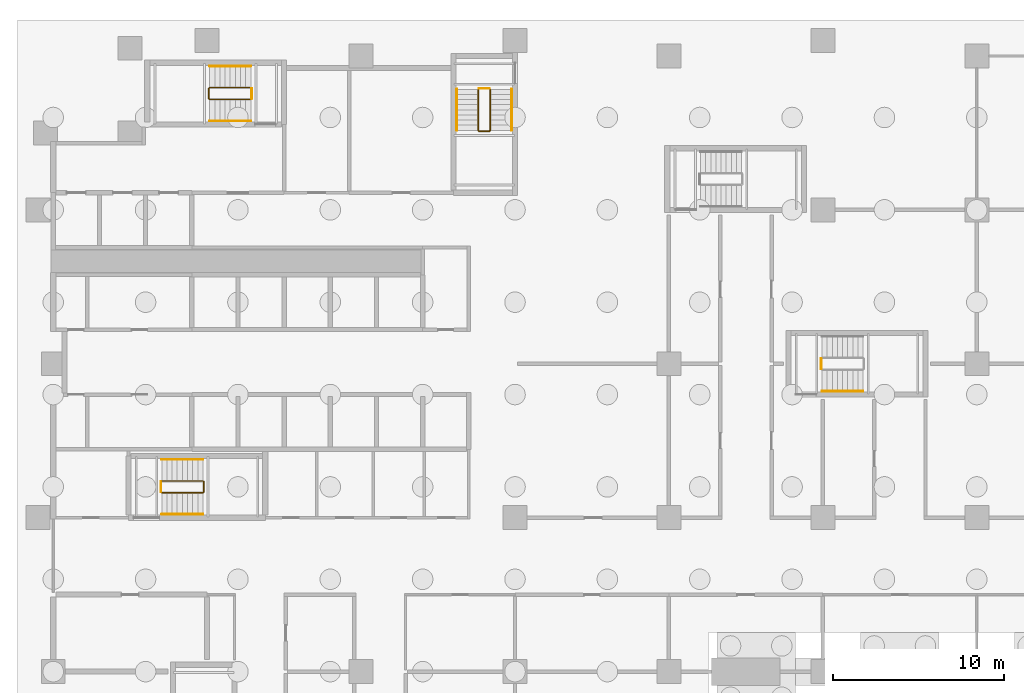
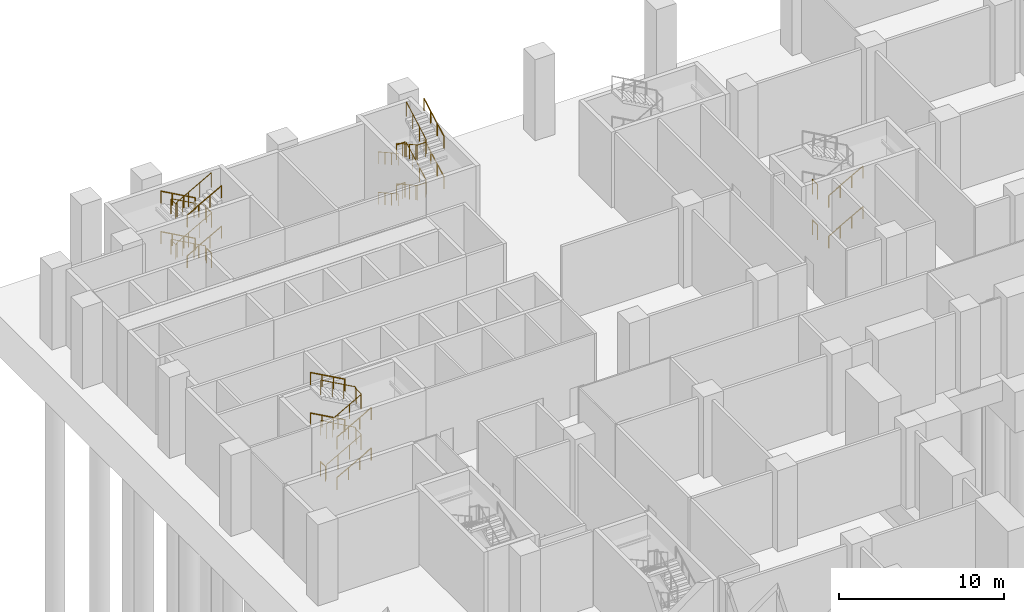
# One storey, part 11 of 12: 27 railings.
"""IFC4 building model written with IfcOpenShell, lengths in metres."""

import ifcopenshell
import ifcopenshell.guid

model = None  # the IFC model being written
_history = None  # IfcOwnerHistory: only IFC2X3 demands one
_inside = {}  # id of a spatial element -> (the spatial element, [elements in it])
_under = {}  # id of a project, library or spatial element -> (it, [spatial elements below it])
_declared = {}  # id of a project -> (the project, [libraries it declares])
_typed = {}  # id of a type object -> (the type object, [elements of that type])
_made_of = {}  # id of a material, layer set ... -> (it, [elements and type objects made of it])


def new_model(schema):
    """Start an empty IFC model of exactly this schema.

    Asked for "IFC4X3", IfcOpenShell would pick the latest addendum, in which some entities
    have other attributes; the version numbers below select the first issue.
    IFC2X3 requires an IfcOwnerHistory on every rooted entity: one is made here for all.
    """
    global model, _history
    if schema == "IFC4X3":
        model = ifcopenshell.file(schema_version=(4, 3, 0, 0))
    else:
        model = ifcopenshell.file(schema=schema)
    _inside.clear()
    _under.clear()
    _declared.clear()
    _typed.clear()
    _made_of.clear()
    _history = None
    if model.schema == "IFC2X3":
        org = make("IfcOrganization", Name="unknown")
        user = make(
            "IfcPersonAndOrganization",
            ThePerson=make("IfcPerson", FamilyName="unknown"),
            TheOrganization=org,
        )
        app = make(
            "IfcApplication",
            ApplicationDeveloper=org,
            Version="unknown",
            ApplicationFullName="unknown",
            ApplicationIdentifier="unknown",
        )
        _history = make(
            "IfcOwnerHistory",
            OwningUser=user,
            OwningApplication=app,
            ChangeAction="ADDED",
            CreationDate=0,
        )
    return model


def make(cls, **values):
    """One entity of the class cls with the attributes given. An attribute that is None is left unset."""
    return model.create_entity(
        cls, **{name: value for name, value in values.items() if value is not None}
    )


def rooted(cls, **values):
    """An entity with a GlobalId (a new one), such as an element, a storey or a relation."""
    return make(cls, GlobalId=ifcopenshell.guid.new(), OwnerHistory=_history, **values)


def si_unit(unit_type, name, prefix=None):
    """IfcSIUnit, for example si_unit("LENGTHUNIT", "METRE", prefix="MILLI")."""
    return make("IfcSIUnit", UnitType=unit_type, Prefix=prefix, Name=name)


def assignment(units):
    """IfcUnitAssignment: the units of a project."""
    return None if units is None else make("IfcUnitAssignment", Units=units)


def point(xyz):
    """IfcCartesianPoint."""
    return None if xyz is None else make("IfcCartesianPoint", Coordinates=xyz)


def direction(xyz):
    """IfcDirection."""
    return None if xyz is None else make("IfcDirection", DirectionRatios=xyz)


def frame(location, z_axis=None, x_axis=None):
    """IfcAxis2Placement3D, a coordinate frame: its origin and axes. An axis left out is left unset."""
    return make(
        "IfcAxis2Placement3D",
        Location=point(location),
        Axis=direction(z_axis),
        RefDirection=direction(x_axis),
    )


def frame_2d(location, x_axis=None):
    """IfcAxis2Placement2D, a coordinate frame in the plane: its origin and x axis."""
    return make(
        "IfcAxis2Placement2D", Location=point(location), RefDirection=direction(x_axis)
    )


def origin():
    """The frame at (0, 0, 0) with its axes left unset."""
    return frame((0.0, 0.0, 0.0))


def origin_2d():
    """The frame at (0, 0) in the plane with its x axis left unset."""
    return frame_2d((0.0, 0.0))


def place(relative_to, where):
    """IfcLocalPlacement: puts the frame where relative to a parent placement (None: the world)."""
    return make(
        "IfcLocalPlacement", PlacementRelTo=relative_to, RelativePlacement=where
    )


def context(
    kind, dimensions, precision=None, world=None, true_north=None, identifier=None
):
    """IfcGeometricRepresentationContext, for example the 3D "Model" context."""
    return make(
        "IfcGeometricRepresentationContext",
        ContextIdentifier=identifier,
        ContextType=kind,
        CoordinateSpaceDimension=dimensions,
        Precision=precision,
        WorldCoordinateSystem=world,
        TrueNorth=true_north,
    )


def subcontext(parent, identifier, kind, view, scale=None):
    """IfcGeometricRepresentationSubContext, for example "Body" below "Model"."""
    return make(
        "IfcGeometricRepresentationSubContext",
        ContextIdentifier=identifier,
        ContextType=kind,
        ParentContext=parent,
        TargetScale=scale,
        TargetView=view,
    )


def project(units=None, contexts=None):
    """IfcProject with its units and contexts."""
    return rooted(
        "IfcProject",
        Name="project",
        RepresentationContexts=contexts,
        UnitsInContext=assignment(units),
    )


def spatial(cls, under=None, at=None, **own):
    """A site, building, storey or space (cls), placed at a placement, below another one or the project."""
    s = rooted(cls, ObjectPlacement=at, **own)
    if under is not None:
        _under.setdefault(under.id(), (under, []))[1].append(s)
    return s


def profile(cls, at=None, kind="AREA", **sizes):
    """A parametric profile (cls). Its sizes go by their IFC names, for example OverallWidth=200.0."""
    return make(cls, ProfileType=kind, Position=at, **sizes)


def circle(**sizes):
    """IfcCircleProfileDef."""
    return profile("IfcCircleProfileDef", **sizes)


def extrude(swept, where, along, depth):
    """IfcExtrudedAreaSolid: the profile swept, set in the frame where, extruded along a direction by depth."""
    return make(
        "IfcExtrudedAreaSolid",
        SweptArea=swept,
        Position=where,
        ExtrudedDirection=direction(along),
        Depth=depth,
    )


def shape(context_of_items, identifier, shape_type, items):
    """IfcShapeRepresentation: the items that make up one representation, for example the "Body"."""
    return make(
        "IfcShapeRepresentation",
        ContextOfItems=context_of_items,
        RepresentationIdentifier=identifier,
        RepresentationType=shape_type,
        Items=items,
    )


def material(Name=None, Category=None):
    """IfcMaterial."""
    return make("IfcMaterial", Name=Name, Category=Category)


def made_of(thing, what):
    """Note that an element or type object is made of a material, layer set ...; save() writes the relation."""
    if what is not None:
        _made_of.setdefault(what.id(), (what, []))[1].append(thing)
    return thing


def type_object(cls, material=None, **own):
    """A type object (cls), such as IfcWallType, which elements share."""
    return made_of(rooted(cls, **own), material)


def element(
    cls,
    number,
    at=None,
    inside=None,
    cuts=None,
    type_object=None,
    material=None,
    context=None,
    identifier="Body",
    shape_type=None,
    held_by="IfcProductDefinitionShape",
    body=None,
    shapes=None,
    **own,
):
    """One element of the class cls, such as IfcWall. Its Tag is "e" and its number.

    at: its placement. inside: the storey or other place that contains it. cuts: it is an
    opening in that element (IfcRelVoidsElement). A single representation is given by context,
    identifier, shape_type and body (its items); several are given by shapes. held_by: the class
    of the entity that holds the representations. save() writes the other relations.
    """
    e = rooted(cls, Tag="e%d" % number, ObjectPlacement=at, **own)
    if body is not None:
        shapes = [shape(context, identifier, shape_type, body)]
    if shapes is not None:
        e.Representation = make(held_by, Representations=shapes)
    if inside is not None:
        _inside.setdefault(inside.id(), (inside, []))[1].append(e)
    if cuts is not None:
        rooted(
            "IfcRelVoidsElement", RelatingBuildingElement=cuts, RelatedOpeningElement=e
        )
    if type_object is not None:
        _typed.setdefault(type_object.id(), (type_object, []))[1].append(e)
    return made_of(e, material)


def aggregate(whole, parts):
    """IfcRelAggregates: a whole, such as a stair, and the parts it consists of."""
    return rooted("IfcRelAggregates", RelatingObject=whole, RelatedObjects=parts)


def save(model, path):
    """Write the relations noted so far, then the file.

    IfcRelAggregates (storeys below a building ...), IfcRelContainedInSpatialStructure (elements
    in a storey), IfcRelDefinesByType, IfcRelAssociatesMaterial and IfcRelDeclares: one each for
    every whole, place, type object, material and project.
    """
    for whole, parts in _under.values():
        aggregate(whole, parts)
    for where, things in _inside.values():
        rooted(
            "IfcRelContainedInSpatialStructure",
            RelatedElements=things,
            RelatingStructure=where,
        )
    for kind, things in _typed.values():
        rooted("IfcRelDefinesByType", RelatedObjects=things, RelatingType=kind)
    for what, things in _made_of.values():
        rooted("IfcRelAssociatesMaterial", RelatedObjects=things, RelatingMaterial=what)
    for by, libraries in _declared.values():
        rooted("IfcRelDeclares", RelatingContext=by, RelatedDefinitions=libraries)
    model.write(path)


model = new_model("IFC4")

# Units and contexts
model_context = context("Model", 3, precision=1e-05, world=origin(), true_north=direction((0.0, 1.0)))
body_context = subcontext(model_context, "Body", "Model", "MODEL_VIEW")
ifc_project = project(units=[si_unit("LENGTHUNIT", "METRE"), si_unit("AREAUNIT", "SQUARE_METRE"), si_unit("VOLUMEUNIT", "CUBIC_METRE"), si_unit("PLANEANGLEUNIT", "RADIAN"), si_unit("MASSUNIT", "GRAM", prefix="KILO")], contexts=[model_context])

# Site, building, storey
site_placement = place(None, origin())
site = spatial("IfcSite", under=ifc_project, at=site_placement, CompositionType="ELEMENT")
building_placement = place(site_placement, origin())
building = spatial("IfcBuilding", under=site, at=building_placement, Name="Brondeck Convention Tower", CompositionType="ELEMENT")
storey_placement = place(building_placement, frame((0.0, 0.0, -6.0)))
storey = spatial("IfcBuildingStorey", under=building, at=storey_placement, Name="B1", CompositionType="ELEMENT", Elevation=-6.0)

# Railings
ifc_material = material(Name="Steel S355", Category="steel")
railing_type_1 = type_object("IfcRailingType", Name="Stair guard 1100", PredefinedType="GUARDRAIL", material=ifc_material)
railing_1_placement = place(storey_placement, frame((6.35009765625, 37.449951171875, 0.166748046875)))
element("IfcRailing", 1, at=railing_1_placement, inside=storey, type_object=railing_type_1, Name="B1 ST-1 stair guard 1", PredefinedType="GUARDRAIL", context=body_context, shape_type="SweptSolid", body=[
    extrude(circle(Radius=0.02392578125, at=origin_2d()), frame((0.0, 0.0, 1.076171875), z_axis=(0.874161470802, 0.0, 0.485635380677), x_axis=(0.0, 1.0, 0.0)), (0.0, 0.0, 1.0), 2.745361328125),
    extrude(circle(Radius=0.02392578125, at=origin_2d()), frame((2.39990234375, 0.0, 2.4091796875), z_axis=(0.707106781187, 0.707106781187, 0.0), x_axis=(-0.707106781187, 0.707106781187, 0.0)), (0.0, 0.0, 1.0), 0.07080078125),
    extrude(circle(Radius=0.02392578125, at=origin_2d()), frame((2.449951171875, 0.050048828125, 2.4091796875), z_axis=(0.0, 1.0, 0.0), x_axis=(-1.0, 0.0, 0.0)), (0.0, 0.0, 1.0), 0.60009765625),
    extrude(circle(Radius=0.02392578125, at=origin_2d()), frame((2.449951171875, 0.650146484375, 2.4091796875), z_axis=(-0.276389281352, 0.275041040955, 0.920848191041), x_axis=(-0.705375805398, -0.708833529934, 0.0)), (0.0, 0.0, 1.0), 0.18115234375),
    extrude(circle(Radius=0.02392578125, at=origin_2d()), frame((2.39990234375, 0.699951171875, 2.576171875), z_axis=(-0.874161470802, 0.0, 0.485635380677), x_axis=(0.0, -1.0, 0.0)), (0.0, 0.0, 1.0), 2.745361328125),
    extrude(circle(Radius=0.02099609375, at=origin_2d()), origin(), (0.0, 0.0, 1.0), 1.052001953125),
    extrude(circle(Radius=0.02099609375, at=origin_2d()), frame((0.800048828125, 0.0, 0.4443359375)), (0.0, 0.0, 1.0), 1.052001953125),
    extrude(circle(Radius=0.02099609375, at=origin_2d()), frame((1.599853515625, 0.0, 0.888916015625)), (0.0, 0.0, 1.0), 1.052001953125),
    extrude(circle(Radius=0.02099609375, at=origin_2d()), frame((2.39990234375, 0.0, 1.333251953125)), (0.0, 0.0, 1.0), 1.052001953125),
    extrude(circle(Radius=0.02099609375, at=origin_2d()), frame((2.449951171875, 0.050048828125, 1.333251953125)), (0.0, 0.0, 1.0), 1.052001953125),
    extrude(circle(Radius=0.02099609375, at=origin_2d()), frame((2.449951171875, 0.650146484375, 1.333251953125)), (0.0, 0.0, 1.0), 1.052001953125),
    extrude(circle(Radius=0.02099609375, at=origin_2d()), frame((2.39990234375, 0.699951171875, 1.5)), (0.0, 0.0, 1.0), 1.052001953125),
    extrude(circle(Radius=0.02099609375, at=origin_2d()), frame((1.599853515625, 0.699951171875, 1.9443359375)), (0.0, 0.0, 1.0), 1.052001953125),
    extrude(circle(Radius=0.02099609375, at=origin_2d()), frame((0.800048828125, 0.699951171875, 2.388916015625)), (0.0, 0.0, 1.0), 1.052001953125),
    extrude(circle(Radius=0.02099609375, at=origin_2d()), frame((0.0, 0.699951171875, 2.833251953125)), (0.0, 0.0, 1.0), 1.052001953125),
])
railing_2_placement = place(storey_placement, frame((6.35009765625, 37.449951171875, 3.166748046875)))
element("IfcRailing", 2, at=railing_2_placement, inside=storey, type_object=railing_type_1, Name="B1 ST-1 stair guard 3", PredefinedType="GUARDRAIL", context=body_context, shape_type="SweptSolid", body=[
    extrude(circle(Radius=0.02392578125, at=origin_2d()), frame((0.0, 0.0, 1.076171875), z_axis=(0.874161470802, 0.0, 0.485635380677), x_axis=(0.0, 1.0, 0.0)), (0.0, 0.0, 1.0), 2.745361328125),
    extrude(circle(Radius=0.02392578125, at=origin_2d()), frame((2.39990234375, 0.0, 2.4091796875), z_axis=(0.707106781187, 0.707106781187, 0.0), x_axis=(-0.707106781187, 0.707106781187, 0.0)), (0.0, 0.0, 1.0), 0.07080078125),
    extrude(circle(Radius=0.02392578125, at=origin_2d()), frame((2.449951171875, 0.050048828125, 2.4091796875), z_axis=(0.0, 1.0, 0.0), x_axis=(-1.0, 0.0, 0.0)), (0.0, 0.0, 1.0), 0.60009765625),
    extrude(circle(Radius=0.02392578125, at=origin_2d()), frame((2.449951171875, 0.650146484375, 2.4091796875), z_axis=(-0.276389281352, 0.275041040955, 0.920848191041), x_axis=(-0.705375805398, -0.708833529934, 0.0)), (0.0, 0.0, 1.0), 0.18115234375),
    extrude(circle(Radius=0.02392578125, at=origin_2d()), frame((2.39990234375, 0.699951171875, 2.576171875), z_axis=(-0.874161470802, 0.0, 0.485635380677), x_axis=(0.0, -1.0, 0.0)), (0.0, 0.0, 1.0), 2.745361328125),
    extrude(circle(Radius=0.02099609375, at=origin_2d()), origin(), (0.0, 0.0, 1.0), 1.052001953125),
    extrude(circle(Radius=0.02099609375, at=origin_2d()), frame((0.800048828125, 0.0, 0.4443359375)), (0.0, 0.0, 1.0), 1.052001953125),
    extrude(circle(Radius=0.02099609375, at=origin_2d()), frame((1.599853515625, 0.0, 0.888916015625)), (0.0, 0.0, 1.0), 1.052001953125),
    extrude(circle(Radius=0.02099609375, at=origin_2d()), frame((2.39990234375, 0.0, 1.333251953125)), (0.0, 0.0, 1.0), 1.052001953125),
    extrude(circle(Radius=0.02099609375, at=origin_2d()), frame((2.449951171875, 0.050048828125, 1.333251953125)), (0.0, 0.0, 1.0), 1.052001953125),
    extrude(circle(Radius=0.02099609375, at=origin_2d()), frame((2.449951171875, 0.650146484375, 1.333251953125)), (0.0, 0.0, 1.0), 1.052001953125),
    extrude(circle(Radius=0.02099609375, at=origin_2d()), frame((2.39990234375, 0.699951171875, 1.5)), (0.0, 0.0, 1.0), 1.052001953125),
    extrude(circle(Radius=0.02099609375, at=origin_2d()), frame((1.599853515625, 0.699951171875, 1.9443359375)), (0.0, 0.0, 1.0), 1.052001953125),
    extrude(circle(Radius=0.02099609375, at=origin_2d()), frame((0.800048828125, 0.699951171875, 2.388916015625)), (0.0, 0.0, 1.0), 1.052001953125),
    extrude(circle(Radius=0.02099609375, at=origin_2d()), frame((0.0, 0.699951171875, 2.833251953125)), (0.0, 0.0, 1.0), 1.052001953125),
])
railing_3_placement = place(storey_placement, frame((6.300048828125, 37.5, 0.0)))
element("IfcRailing", 3, at=railing_3_placement, inside=storey, type_object=railing_type_1, Name="B1 ST-1 stair guard 4", PredefinedType="GUARDRAIL", context=body_context, shape_type="SweptSolid", body=[
    extrude(circle(Radius=0.02392578125, at=origin_2d()), frame((0.0, 0.0, 1.076171875), z_axis=(0.0, 1.0, 0.0), x_axis=(-1.0, 0.0, 0.0)), (0.0, 0.0, 1.0), 0.60009765625),
    extrude(circle(Radius=0.02099609375, at=origin_2d()), origin(), (0.0, 0.0, 1.0), 1.052001953125),
    extrude(circle(Radius=0.02099609375, at=origin_2d()), frame((0.0, 0.60009765625, 0.0)), (0.0, 0.0, 1.0), 1.052001953125),
])
railing_4_placement = place(storey_placement, frame((24.85009765625, 61.050048828125, 0.166748046875)))
element("IfcRailing", 4, at=railing_4_placement, inside=storey, type_object=railing_type_1, Name="B1 ST-2 stair guard 1", PredefinedType="GUARDRAIL", context=body_context, shape_type="SweptSolid", body=[
    extrude(circle(Radius=0.02392578125, at=origin_2d()), frame((0.0, 0.0, 1.076171875), z_axis=(0.0, -0.874182441271, 0.485597631145), x_axis=(1.0, 0.0, 0.0)), (0.0, 0.0, 1.0), 2.74560546875),
    extrude(circle(Radius=0.02392578125, at=origin_2d()), frame((0.0, -2.400146484375, 2.4091796875), z_axis=(0.707106781187, -0.707106781187, 0.0), x_axis=(0.707106781187, 0.707106781187, 0.0)), (0.0, 0.0, 1.0), 0.0703125),
    extrude(circle(Radius=0.02392578125, at=origin_2d()), frame((0.0498046875, -2.449951171875, 2.4091796875), z_axis=(1.0, 0.0, 0.0), x_axis=(0.0, 1.0, 0.0)), (0.0, 0.0, 1.0), 0.60009765625),
    extrude(circle(Radius=0.02392578125, at=origin_2d()), frame((0.64990234375, -2.449951171875, 2.4091796875), z_axis=(0.276389281352, 0.275041040955, 0.920848191041), x_axis=(-0.705375805398, 0.708833529934, 0.0)), (0.0, 0.0, 1.0), 0.18115234375),
    extrude(circle(Radius=0.02392578125, at=origin_2d()), frame((0.699951171875, -2.400146484375, 2.576171875), z_axis=(0.0, 0.874182441271, 0.485597631145), x_axis=(-1.0, 0.0, 0.0)), (0.0, 0.0, 1.0), 2.74560546875),
    extrude(circle(Radius=0.02099609375, at=origin_2d()), origin(), (0.0, 0.0, 1.0), 1.052001953125),
    extrude(circle(Radius=0.02099609375, at=origin_2d()), frame((0.0, -0.800048828125, 0.4443359375)), (0.0, 0.0, 1.0), 1.052001953125),
    extrude(circle(Radius=0.02099609375, at=origin_2d()), frame((0.0, -1.60009765625, 0.888916015625)), (0.0, 0.0, 1.0), 1.052001953125),
    extrude(circle(Radius=0.02099609375, at=origin_2d()), frame((0.0, -2.400146484375, 1.333251953125)), (0.0, 0.0, 1.0), 1.052001953125),
    extrude(circle(Radius=0.02099609375, at=origin_2d()), frame((0.0498046875, -2.449951171875, 1.333251953125)), (0.0, 0.0, 1.0), 1.052001953125),
    extrude(circle(Radius=0.02099609375, at=origin_2d()), frame((0.64990234375, -2.449951171875, 1.333251953125)), (0.0, 0.0, 1.0), 1.052001953125),
    extrude(circle(Radius=0.02099609375, at=origin_2d()), frame((0.699951171875, -2.400146484375, 1.5)), (0.0, 0.0, 1.0), 1.052001953125),
    extrude(circle(Radius=0.02099609375, at=origin_2d()), frame((0.699951171875, -1.60009765625, 1.9443359375)), (0.0, 0.0, 1.0), 1.052001953125),
    extrude(circle(Radius=0.02099609375, at=origin_2d()), frame((0.699951171875, -0.800048828125, 2.388916015625)), (0.0, 0.0, 1.0), 1.052001953125),
    extrude(circle(Radius=0.02099609375, at=origin_2d()), frame((0.699951171875, 0.0, 2.833251953125)), (0.0, 0.0, 1.0), 1.052001953125),
])
railing_5_placement = place(storey_placement, frame((24.89990234375, 61.10009765625, 3.0)))
element("IfcRailing", 5, at=railing_5_placement, inside=storey, type_object=railing_type_1, Name="B1 ST-2 stair guard 2", PredefinedType="GUARDRAIL", context=body_context, shape_type="SweptSolid", body=[
    extrude(circle(Radius=0.02392578125, at=origin_2d()), frame((0.0, 0.0, 1.076171875), z_axis=(1.0, 0.0, 0.0), x_axis=(0.0, 1.0, 0.0)), (0.0, 0.0, 1.0), 0.60009765625),
    extrude(circle(Radius=0.02099609375, at=origin_2d()), origin(), (0.0, 0.0, 1.0), 1.052001953125),
    extrude(circle(Radius=0.02099609375, at=origin_2d()), frame((0.60009765625, 0.0, 0.0)), (0.0, 0.0, 1.0), 1.052001953125),
])
railing_6_placement = place(storey_placement, frame((24.85009765625, 61.050048828125, 3.166748046875)))
element("IfcRailing", 6, at=railing_6_placement, inside=storey, type_object=railing_type_1, Name="B1 ST-2 stair guard 3", PredefinedType="GUARDRAIL", context=body_context, shape_type="SweptSolid", body=[
    extrude(circle(Radius=0.02392578125, at=origin_2d()), frame((0.0, 0.0, 1.076171875), z_axis=(0.0, -0.874182441271, 0.485597631145), x_axis=(1.0, 0.0, 0.0)), (0.0, 0.0, 1.0), 2.74560546875),
    extrude(circle(Radius=0.02392578125, at=origin_2d()), frame((0.0, -2.400146484375, 2.4091796875), z_axis=(0.707106781187, -0.707106781187, 0.0), x_axis=(0.707106781187, 0.707106781187, 0.0)), (0.0, 0.0, 1.0), 0.0703125),
    extrude(circle(Radius=0.02392578125, at=origin_2d()), frame((0.0498046875, -2.449951171875, 2.4091796875), z_axis=(1.0, 0.0, 0.0), x_axis=(0.0, 1.0, 0.0)), (0.0, 0.0, 1.0), 0.60009765625),
    extrude(circle(Radius=0.02392578125, at=origin_2d()), frame((0.64990234375, -2.449951171875, 2.4091796875), z_axis=(0.276389281352, 0.275041040955, 0.920848191041), x_axis=(-0.705375805398, 0.708833529934, 0.0)), (0.0, 0.0, 1.0), 0.18115234375),
    extrude(circle(Radius=0.02392578125, at=origin_2d()), frame((0.699951171875, -2.400146484375, 2.576171875), z_axis=(0.0, 0.874182441271, 0.485597631145), x_axis=(-1.0, 0.0, 0.0)), (0.0, 0.0, 1.0), 2.74560546875),
    extrude(circle(Radius=0.02099609375, at=origin_2d()), origin(), (0.0, 0.0, 1.0), 1.052001953125),
    extrude(circle(Radius=0.02099609375, at=origin_2d()), frame((0.0, -0.800048828125, 0.4443359375)), (0.0, 0.0, 1.0), 1.052001953125),
    extrude(circle(Radius=0.02099609375, at=origin_2d()), frame((0.0, -1.60009765625, 0.888916015625)), (0.0, 0.0, 1.0), 1.052001953125),
    extrude(circle(Radius=0.02099609375, at=origin_2d()), frame((0.0, -2.400146484375, 1.333251953125)), (0.0, 0.0, 1.0), 1.052001953125),
    extrude(circle(Radius=0.02099609375, at=origin_2d()), frame((0.0498046875, -2.449951171875, 1.333251953125)), (0.0, 0.0, 1.0), 1.052001953125),
    extrude(circle(Radius=0.02099609375, at=origin_2d()), frame((0.64990234375, -2.449951171875, 1.333251953125)), (0.0, 0.0, 1.0), 1.052001953125),
    extrude(circle(Radius=0.02099609375, at=origin_2d()), frame((0.699951171875, -2.400146484375, 1.5)), (0.0, 0.0, 1.0), 1.052001953125),
    extrude(circle(Radius=0.02099609375, at=origin_2d()), frame((0.699951171875, -1.60009765625, 1.9443359375)), (0.0, 0.0, 1.0), 1.052001953125),
    extrude(circle(Radius=0.02099609375, at=origin_2d()), frame((0.699951171875, -0.800048828125, 2.388916015625)), (0.0, 0.0, 1.0), 1.052001953125),
    extrude(circle(Radius=0.02099609375, at=origin_2d()), frame((0.699951171875, 0.0, 2.833251953125)), (0.0, 0.0, 1.0), 1.052001953125),
])
railing_7_placement = place(storey_placement, frame((24.89990234375, 61.10009765625, 0.0)))
element("IfcRailing", 7, at=railing_7_placement, inside=storey, type_object=railing_type_1, Name="B1 ST-2 stair guard 4", PredefinedType="GUARDRAIL", context=body_context, shape_type="SweptSolid", body=[
    extrude(circle(Radius=0.02392578125, at=origin_2d()), frame((0.0, 0.0, 1.076171875), z_axis=(1.0, 0.0, 0.0), x_axis=(0.0, 1.0, 0.0)), (0.0, 0.0, 1.0), 0.60009765625),
    extrude(circle(Radius=0.02099609375, at=origin_2d()), origin(), (0.0, 0.0, 1.0), 1.052001953125),
    extrude(circle(Radius=0.02099609375, at=origin_2d()), frame((0.60009765625, 0.0, 0.0)), (0.0, 0.0, 1.0), 1.052001953125),
])
railing_8_placement = place(storey_placement, frame((11.550048828125, 61.14990234375, 0.166748046875)))
element("IfcRailing", 8, at=railing_8_placement, inside=storey, type_object=railing_type_1, Name="B1 ST-3 stair guard 1", PredefinedType="GUARDRAIL", context=body_context, shape_type="SweptSolid", body=[
    extrude(circle(Radius=0.02392578125, at=origin_2d()), frame((0.0, 0.0, 1.076171875), z_axis=(-0.874182441271, 0.0, 0.485597631145), x_axis=(0.0, -1.0, 0.0)), (0.0, 0.0, 1.0), 2.74560546875),
    extrude(circle(Radius=0.02392578125, at=origin_2d()), frame((-2.400146484375, 0.0, 2.4091796875), z_axis=(-0.707106781187, -0.707106781187, 0.0), x_axis=(0.707106781187, -0.707106781187, 0.0)), (0.0, 0.0, 1.0), 0.0703125),
    extrude(circle(Radius=0.02392578125, at=origin_2d()), frame((-2.449951171875, -0.0498046875, 2.4091796875), z_axis=(0.0, -1.0, 0.0), x_axis=(1.0, 0.0, 0.0)), (0.0, 0.0, 1.0), 0.60009765625),
    extrude(circle(Radius=0.02392578125, at=origin_2d()), frame((-2.449951171875, -0.64990234375, 2.4091796875), z_axis=(0.275041040955, -0.276389281352, 0.920848191041), x_axis=(0.708833529934, 0.705375805398, 0.0)), (0.0, 0.0, 1.0), 0.18115234375),
    extrude(circle(Radius=0.02392578125, at=origin_2d()), frame((-2.400146484375, -0.699951171875, 2.576171875), z_axis=(0.874182441271, 0.0, 0.485597631145), x_axis=(0.0, 1.0, 0.0)), (0.0, 0.0, 1.0), 2.74560546875),
    extrude(circle(Radius=0.02099609375, at=origin_2d()), origin(), (0.0, 0.0, 1.0), 1.052001953125),
    extrude(circle(Radius=0.02099609375, at=origin_2d()), frame((-0.800048828125, 0.0, 0.4443359375)), (0.0, 0.0, 1.0), 1.052001953125),
    extrude(circle(Radius=0.02099609375, at=origin_2d()), frame((-1.60009765625, 0.0, 0.888916015625)), (0.0, 0.0, 1.0), 1.052001953125),
    extrude(circle(Radius=0.02099609375, at=origin_2d()), frame((-2.400146484375, 0.0, 1.333251953125)), (0.0, 0.0, 1.0), 1.052001953125),
    extrude(circle(Radius=0.02099609375, at=origin_2d()), frame((-2.449951171875, -0.0498046875, 1.333251953125)), (0.0, 0.0, 1.0), 1.052001953125),
    extrude(circle(Radius=0.02099609375, at=origin_2d()), frame((-2.449951171875, -0.64990234375, 1.333251953125)), (0.0, 0.0, 1.0), 1.052001953125),
    extrude(circle(Radius=0.02099609375, at=origin_2d()), frame((-2.400146484375, -0.699951171875, 1.5)), (0.0, 0.0, 1.0), 1.052001953125),
    extrude(circle(Radius=0.02099609375, at=origin_2d()), frame((-1.60009765625, -0.699951171875, 1.9443359375)), (0.0, 0.0, 1.0), 1.052001953125),
    extrude(circle(Radius=0.02099609375, at=origin_2d()), frame((-0.800048828125, -0.699951171875, 2.388916015625)), (0.0, 0.0, 1.0), 1.052001953125),
    extrude(circle(Radius=0.02099609375, at=origin_2d()), frame((0.0, -0.699951171875, 2.833251953125)), (0.0, 0.0, 1.0), 1.052001953125),
])
railing_9_placement = place(storey_placement, frame((11.60009765625, 61.10009765625, 3.0)))
element("IfcRailing", 9, at=railing_9_placement, inside=storey, type_object=railing_type_1, Name="B1 ST-3 stair guard 2", PredefinedType="GUARDRAIL", context=body_context, shape_type="SweptSolid", body=[
    extrude(circle(Radius=0.02392578125, at=origin_2d()), frame((0.0, 0.0, 1.076171875), z_axis=(0.0, -1.0, 0.0), x_axis=(1.0, 0.0, 0.0)), (0.0, 0.0, 1.0), 0.60009765625),
    extrude(circle(Radius=0.02099609375, at=origin_2d()), origin(), (0.0, 0.0, 1.0), 1.052001953125),
    extrude(circle(Radius=0.02099609375, at=origin_2d()), frame((0.0, -0.60009765625, 0.0)), (0.0, 0.0, 1.0), 1.052001953125),
])
railing_10_placement = place(storey_placement, frame((11.550048828125, 61.14990234375, 3.166748046875)))
element("IfcRailing", 10, at=railing_10_placement, inside=storey, type_object=railing_type_1, Name="B1 ST-3 stair guard 3", PredefinedType="GUARDRAIL", context=body_context, shape_type="SweptSolid", body=[
    extrude(circle(Radius=0.02392578125, at=origin_2d()), frame((0.0, 0.0, 1.076171875), z_axis=(-0.874182441271, 0.0, 0.485597631145), x_axis=(0.0, -1.0, 0.0)), (0.0, 0.0, 1.0), 2.74560546875),
    extrude(circle(Radius=0.02392578125, at=origin_2d()), frame((-2.400146484375, 0.0, 2.4091796875), z_axis=(-0.707106781187, -0.707106781187, 0.0), x_axis=(0.707106781187, -0.707106781187, 0.0)), (0.0, 0.0, 1.0), 0.0703125),
    extrude(circle(Radius=0.02392578125, at=origin_2d()), frame((-2.449951171875, -0.0498046875, 2.4091796875), z_axis=(0.0, -1.0, 0.0), x_axis=(1.0, 0.0, 0.0)), (0.0, 0.0, 1.0), 0.60009765625),
    extrude(circle(Radius=0.02392578125, at=origin_2d()), frame((-2.449951171875, -0.64990234375, 2.4091796875), z_axis=(0.275041040955, -0.276389281352, 0.920848191041), x_axis=(0.708833529934, 0.705375805398, 0.0)), (0.0, 0.0, 1.0), 0.18115234375),
    extrude(circle(Radius=0.02392578125, at=origin_2d()), frame((-2.400146484375, -0.699951171875, 2.576171875), z_axis=(0.874182441271, 0.0, 0.485597631145), x_axis=(0.0, 1.0, 0.0)), (0.0, 0.0, 1.0), 2.74560546875),
    extrude(circle(Radius=0.02099609375, at=origin_2d()), origin(), (0.0, 0.0, 1.0), 1.052001953125),
    extrude(circle(Radius=0.02099609375, at=origin_2d()), frame((-0.800048828125, 0.0, 0.4443359375)), (0.0, 0.0, 1.0), 1.052001953125),
    extrude(circle(Radius=0.02099609375, at=origin_2d()), frame((-1.60009765625, 0.0, 0.888916015625)), (0.0, 0.0, 1.0), 1.052001953125),
    extrude(circle(Radius=0.02099609375, at=origin_2d()), frame((-2.400146484375, 0.0, 1.333251953125)), (0.0, 0.0, 1.0), 1.052001953125),
    extrude(circle(Radius=0.02099609375, at=origin_2d()), frame((-2.449951171875, -0.0498046875, 1.333251953125)), (0.0, 0.0, 1.0), 1.052001953125),
    extrude(circle(Radius=0.02099609375, at=origin_2d()), frame((-2.449951171875, -0.64990234375, 1.333251953125)), (0.0, 0.0, 1.0), 1.052001953125),
    extrude(circle(Radius=0.02099609375, at=origin_2d()), frame((-2.400146484375, -0.699951171875, 1.5)), (0.0, 0.0, 1.0), 1.052001953125),
    extrude(circle(Radius=0.02099609375, at=origin_2d()), frame((-1.60009765625, -0.699951171875, 1.9443359375)), (0.0, 0.0, 1.0), 1.052001953125),
    extrude(circle(Radius=0.02099609375, at=origin_2d()), frame((-0.800048828125, -0.699951171875, 2.388916015625)), (0.0, 0.0, 1.0), 1.052001953125),
    extrude(circle(Radius=0.02099609375, at=origin_2d()), frame((0.0, -0.699951171875, 2.833251953125)), (0.0, 0.0, 1.0), 1.052001953125),
])
railing_11_placement = place(storey_placement, frame((11.60009765625, 61.10009765625, 0.0)))
element("IfcRailing", 11, at=railing_11_placement, inside=storey, type_object=railing_type_1, Name="B1 ST-3 stair guard 4", PredefinedType="GUARDRAIL", context=body_context, shape_type="SweptSolid", body=[
    extrude(circle(Radius=0.02392578125, at=origin_2d()), frame((0.0, 0.0, 1.076171875), z_axis=(0.0, -1.0, 0.0), x_axis=(1.0, 0.0, 0.0)), (0.0, 0.0, 1.0), 0.60009765625),
    extrude(circle(Radius=0.02099609375, at=origin_2d()), origin(), (0.0, 0.0, 1.0), 1.052001953125),
    extrude(circle(Radius=0.02099609375, at=origin_2d()), frame((0.0, -0.60009765625, 0.0)), (0.0, 0.0, 1.0), 1.052001953125),
])
for number, where, name in (
    (12, (44.89990234375, 44.699951171875, 3.0), "B1 ST-AF stair guard 2"),
    (13, (44.89990234375, 44.699951171875, 0.0), "B1 ST-AF stair guard 4"),
):
    element("IfcRailing", number, at=place(storey_placement, frame(where)), inside=storey, type_object=railing_type_1, Name=name, PredefinedType="GUARDRAIL", context=body_context, shape_type="SweptSolid", body=[
        extrude(circle(Radius=0.02392578125, at=origin_2d()), frame((0.0, 0.0, 1.076171875), z_axis=(0.0, 1.0, 0.0), x_axis=(-1.0, 0.0, 0.0)), (0.0, 0.0, 1.0), 0.60009765625),
        extrude(circle(Radius=0.02099609375, at=origin_2d()), origin(), (0.0, 0.0, 1.0), 1.052001953125),
        extrude(circle(Radius=0.02099609375, at=origin_2d()), frame((0.0, 0.60009765625, 0.0)), (0.0, 0.0, 1.0), 1.052001953125),
    ])
railing_type_2 = type_object("IfcRailingType", Name="Stair handrail", PredefinedType="HANDRAIL", material=ifc_material)
railing_12_placement = place(storey_placement, frame((6.35009765625, 36.199951171875, 0.166748046875)))
element("IfcRailing", 14, at=railing_12_placement, inside=storey, type_object=railing_type_2, Name="B1 ST-1 stair handrail 1", PredefinedType="HANDRAIL", context=body_context, shape_type="SweptSolid", body=[
    extrude(circle(Radius=0.02392578125, at=origin_2d()), frame((0.0, 0.0, 0.8759765625), z_axis=(0.874161470802, 0.0, 0.485635380677), x_axis=(0.0, 1.0, 0.0)), (0.0, 0.0, 1.0), 2.745361328125),
    extrude(circle(Radius=0.02099609375, at=origin_2d()), origin(), (0.0, 0.0, 1.0), 0.851806640625),
    extrude(circle(Radius=0.02099609375, at=origin_2d()), frame((0.800048828125, 0.0, 0.4443359375)), (0.0, 0.0, 1.0), 0.851806640625),
    extrude(circle(Radius=0.02099609375, at=origin_2d()), frame((1.599853515625, 0.0, 0.888916015625)), (0.0, 0.0, 1.0), 0.851806640625),
    extrude(circle(Radius=0.02099609375, at=origin_2d()), frame((2.39990234375, 0.0, 1.333251953125)), (0.0, 0.0, 1.0), 0.851806640625),
])
railing_13_placement = place(storey_placement, frame((8.75, 39.39990234375, 1.666748046875)))
element("IfcRailing", 15, at=railing_13_placement, inside=storey, type_object=railing_type_2, Name="B1 ST-1 stair handrail 2", PredefinedType="HANDRAIL", context=body_context, shape_type="SweptSolid", body=[
    extrude(circle(Radius=0.02392578125, at=origin_2d()), frame((0.0, 0.0, 0.8759765625), z_axis=(-0.874161470802, 0.0, 0.485635380677), x_axis=(0.0, -1.0, 0.0)), (0.0, 0.0, 1.0), 2.745361328125),
    extrude(circle(Radius=0.02099609375, at=origin_2d()), origin(), (0.0, 0.0, 1.0), 0.851806640625),
    extrude(circle(Radius=0.02099609375, at=origin_2d()), frame((-0.800048828125, 0.0, 0.4443359375)), (0.0, 0.0, 1.0), 0.851806640625),
    extrude(circle(Radius=0.02099609375, at=origin_2d()), frame((-1.599853515625, 0.0, 0.888916015625)), (0.0, 0.0, 1.0), 0.851806640625),
    extrude(circle(Radius=0.02099609375, at=origin_2d()), frame((-2.39990234375, 0.0, 1.333251953125)), (0.0, 0.0, 1.0), 0.851806640625),
])
railing_14_placement = place(storey_placement, frame((6.35009765625, 36.199951171875, 3.166748046875)))
element("IfcRailing", 16, at=railing_14_placement, inside=storey, type_object=railing_type_2, Name="B1 ST-1 stair handrail 3", PredefinedType="HANDRAIL", context=body_context, shape_type="SweptSolid", body=[
    extrude(circle(Radius=0.02392578125, at=origin_2d()), frame((0.0, 0.0, 0.8759765625), z_axis=(0.874161470802, 0.0, 0.485635380677), x_axis=(0.0, 1.0, 0.0)), (0.0, 0.0, 1.0), 2.745361328125),
    extrude(circle(Radius=0.02099609375, at=origin_2d()), origin(), (0.0, 0.0, 1.0), 0.851806640625),
    extrude(circle(Radius=0.02099609375, at=origin_2d()), frame((0.800048828125, 0.0, 0.4443359375)), (0.0, 0.0, 1.0), 0.851806640625),
    extrude(circle(Radius=0.02099609375, at=origin_2d()), frame((1.599853515625, 0.0, 0.888916015625)), (0.0, 0.0, 1.0), 0.851806640625),
    extrude(circle(Radius=0.02099609375, at=origin_2d()), frame((2.39990234375, 0.0, 1.333251953125)), (0.0, 0.0, 1.0), 0.851806640625),
])
railing_15_placement = place(storey_placement, frame((8.75, 39.39990234375, 4.666748046875)))
element("IfcRailing", 17, at=railing_15_placement, inside=storey, type_object=railing_type_2, Name="B1 ST-1 stair handrail 4", PredefinedType="HANDRAIL", context=body_context, shape_type="SweptSolid", body=[
    extrude(circle(Radius=0.02392578125, at=origin_2d()), frame((0.0, 0.0, 0.8759765625), z_axis=(-0.874161470802, 0.0, 0.485635380677), x_axis=(0.0, -1.0, 0.0)), (0.0, 0.0, 1.0), 2.745361328125),
    extrude(circle(Radius=0.02099609375, at=origin_2d()), origin(), (0.0, 0.0, 1.0), 0.851806640625),
    extrude(circle(Radius=0.02099609375, at=origin_2d()), frame((-0.800048828125, 0.0, 0.4443359375)), (0.0, 0.0, 1.0), 0.851806640625),
    extrude(circle(Radius=0.02099609375, at=origin_2d()), frame((-1.599853515625, 0.0, 0.888916015625)), (0.0, 0.0, 1.0), 0.851806640625),
    extrude(circle(Radius=0.02099609375, at=origin_2d()), frame((-2.39990234375, 0.0, 1.333251953125)), (0.0, 0.0, 1.0), 0.851806640625),
])
railing_16_placement = place(storey_placement, frame((23.60009765625, 61.050048828125, 0.166748046875)))
element("IfcRailing", 18, at=railing_16_placement, inside=storey, type_object=railing_type_2, Name="B1 ST-2 stair handrail 1", PredefinedType="HANDRAIL", context=body_context, shape_type="SweptSolid", body=[
    extrude(circle(Radius=0.02392578125, at=origin_2d()), frame((0.0, 0.0, 0.8759765625), z_axis=(0.0, -0.874182441271, 0.485597631145), x_axis=(1.0, 0.0, 0.0)), (0.0, 0.0, 1.0), 2.74560546875),
    extrude(circle(Radius=0.02099609375, at=origin_2d()), origin(), (0.0, 0.0, 1.0), 0.851806640625),
    extrude(circle(Radius=0.02099609375, at=origin_2d()), frame((0.0, -0.800048828125, 0.4443359375)), (0.0, 0.0, 1.0), 0.851806640625),
    extrude(circle(Radius=0.02099609375, at=origin_2d()), frame((0.0, -1.60009765625, 0.888916015625)), (0.0, 0.0, 1.0), 0.851806640625),
    extrude(circle(Radius=0.02099609375, at=origin_2d()), frame((0.0, -2.400146484375, 1.333251953125)), (0.0, 0.0, 1.0), 0.851806640625),
])
railing_17_placement = place(storey_placement, frame((26.800048828125, 58.64990234375, 1.666748046875)))
element("IfcRailing", 19, at=railing_17_placement, inside=storey, type_object=railing_type_2, Name="B1 ST-2 stair handrail 2", PredefinedType="HANDRAIL", context=body_context, shape_type="SweptSolid", body=[
    extrude(circle(Radius=0.02392578125, at=origin_2d()), frame((0.0, 0.0, 0.8759765625), z_axis=(0.0, 0.874182441271, 0.485597631145), x_axis=(-1.0, 0.0, 0.0)), (0.0, 0.0, 1.0), 2.74560546875),
    extrude(circle(Radius=0.02099609375, at=origin_2d()), origin(), (0.0, 0.0, 1.0), 0.851806640625),
    extrude(circle(Radius=0.02099609375, at=origin_2d()), frame((0.0, 0.800048828125, 0.4443359375)), (0.0, 0.0, 1.0), 0.851806640625),
    extrude(circle(Radius=0.02099609375, at=origin_2d()), frame((0.0, 1.60009765625, 0.888916015625)), (0.0, 0.0, 1.0), 0.851806640625),
    extrude(circle(Radius=0.02099609375, at=origin_2d()), frame((0.0, 2.400146484375, 1.333251953125)), (0.0, 0.0, 1.0), 0.851806640625),
])
railing_18_placement = place(storey_placement, frame((23.60009765625, 61.050048828125, 3.166748046875)))
element("IfcRailing", 20, at=railing_18_placement, inside=storey, type_object=railing_type_2, Name="B1 ST-2 stair handrail 3", PredefinedType="HANDRAIL", context=body_context, shape_type="SweptSolid", body=[
    extrude(circle(Radius=0.02392578125, at=origin_2d()), frame((0.0, 0.0, 0.8759765625), z_axis=(0.0, -0.874182441271, 0.485597631145), x_axis=(1.0, 0.0, 0.0)), (0.0, 0.0, 1.0), 2.74560546875),
    extrude(circle(Radius=0.02099609375, at=origin_2d()), origin(), (0.0, 0.0, 1.0), 0.851806640625),
    extrude(circle(Radius=0.02099609375, at=origin_2d()), frame((0.0, -0.800048828125, 0.4443359375)), (0.0, 0.0, 1.0), 0.851806640625),
    extrude(circle(Radius=0.02099609375, at=origin_2d()), frame((0.0, -1.60009765625, 0.888916015625)), (0.0, 0.0, 1.0), 0.851806640625),
    extrude(circle(Radius=0.02099609375, at=origin_2d()), frame((0.0, -2.400146484375, 1.333251953125)), (0.0, 0.0, 1.0), 0.851806640625),
])
railing_19_placement = place(storey_placement, frame((26.800048828125, 58.64990234375, 4.666748046875)))
element("IfcRailing", 21, at=railing_19_placement, inside=storey, type_object=railing_type_2, Name="B1 ST-2 stair handrail 4", PredefinedType="HANDRAIL", context=body_context, shape_type="SweptSolid", body=[
    extrude(circle(Radius=0.02392578125, at=origin_2d()), frame((0.0, 0.0, 0.8759765625), z_axis=(0.0, 0.874182441271, 0.485597631145), x_axis=(-1.0, 0.0, 0.0)), (0.0, 0.0, 1.0), 2.74560546875),
    extrude(circle(Radius=0.02099609375, at=origin_2d()), origin(), (0.0, 0.0, 1.0), 0.851806640625),
    extrude(circle(Radius=0.02099609375, at=origin_2d()), frame((0.0, 0.800048828125, 0.4443359375)), (0.0, 0.0, 1.0), 0.851806640625),
    extrude(circle(Radius=0.02099609375, at=origin_2d()), frame((0.0, 1.60009765625, 0.888916015625)), (0.0, 0.0, 1.0), 0.851806640625),
    extrude(circle(Radius=0.02099609375, at=origin_2d()), frame((0.0, 2.400146484375, 1.333251953125)), (0.0, 0.0, 1.0), 0.851806640625),
])
railing_20_placement = place(storey_placement, frame((11.550048828125, 62.39990234375, 0.166748046875)))
element("IfcRailing", 22, at=railing_20_placement, inside=storey, type_object=railing_type_2, Name="B1 ST-3 stair handrail 1", PredefinedType="HANDRAIL", context=body_context, shape_type="SweptSolid", body=[
    extrude(circle(Radius=0.02392578125, at=origin_2d()), frame((0.0, 0.0, 0.8759765625), z_axis=(-0.874182441271, 0.0, 0.485597631145), x_axis=(0.0, -1.0, 0.0)), (0.0, 0.0, 1.0), 2.74560546875),
    extrude(circle(Radius=0.02099609375, at=origin_2d()), origin(), (0.0, 0.0, 1.0), 0.851806640625),
    extrude(circle(Radius=0.02099609375, at=origin_2d()), frame((-0.800048828125, 0.0, 0.4443359375)), (0.0, 0.0, 1.0), 0.851806640625),
    extrude(circle(Radius=0.02099609375, at=origin_2d()), frame((-1.60009765625, 0.0, 0.888916015625)), (0.0, 0.0, 1.0), 0.851806640625),
    extrude(circle(Radius=0.02099609375, at=origin_2d()), frame((-2.400146484375, 0.0, 1.333251953125)), (0.0, 0.0, 1.0), 0.851806640625),
])
railing_21_placement = place(storey_placement, frame((9.14990234375, 59.199951171875, 1.666748046875)))
element("IfcRailing", 23, at=railing_21_placement, inside=storey, type_object=railing_type_2, Name="B1 ST-3 stair handrail 2", PredefinedType="HANDRAIL", context=body_context, shape_type="SweptSolid", body=[
    extrude(circle(Radius=0.02392578125, at=origin_2d()), frame((0.0, 0.0, 0.8759765625), z_axis=(0.874182441271, 0.0, 0.485597631145), x_axis=(0.0, 1.0, 0.0)), (0.0, 0.0, 1.0), 2.74560546875),
    extrude(circle(Radius=0.02099609375, at=origin_2d()), origin(), (0.0, 0.0, 1.0), 0.851806640625),
    extrude(circle(Radius=0.02099609375, at=origin_2d()), frame((0.800048828125, 0.0, 0.4443359375)), (0.0, 0.0, 1.0), 0.851806640625),
    extrude(circle(Radius=0.02099609375, at=origin_2d()), frame((1.60009765625, 0.0, 0.888916015625)), (0.0, 0.0, 1.0), 0.851806640625),
    extrude(circle(Radius=0.02099609375, at=origin_2d()), frame((2.400146484375, 0.0, 1.333251953125)), (0.0, 0.0, 1.0), 0.851806640625),
])
railing_22_placement = place(storey_placement, frame((11.550048828125, 62.39990234375, 3.166748046875)))
element("IfcRailing", 24, at=railing_22_placement, inside=storey, type_object=railing_type_2, Name="B1 ST-3 stair handrail 3", PredefinedType="HANDRAIL", context=body_context, shape_type="SweptSolid", body=[
    extrude(circle(Radius=0.02392578125, at=origin_2d()), frame((0.0, 0.0, 0.8759765625), z_axis=(-0.874182441271, 0.0, 0.485597631145), x_axis=(0.0, -1.0, 0.0)), (0.0, 0.0, 1.0), 2.74560546875),
    extrude(circle(Radius=0.02099609375, at=origin_2d()), origin(), (0.0, 0.0, 1.0), 0.851806640625),
    extrude(circle(Radius=0.02099609375, at=origin_2d()), frame((-0.800048828125, 0.0, 0.4443359375)), (0.0, 0.0, 1.0), 0.851806640625),
    extrude(circle(Radius=0.02099609375, at=origin_2d()), frame((-1.60009765625, 0.0, 0.888916015625)), (0.0, 0.0, 1.0), 0.851806640625),
    extrude(circle(Radius=0.02099609375, at=origin_2d()), frame((-2.400146484375, 0.0, 1.333251953125)), (0.0, 0.0, 1.0), 0.851806640625),
])
for number, where, name in (
    (25, (9.14990234375, 59.199951171875, 4.666748046875), "B1 ST-3 stair handrail 4"),
    (26, (44.949951171875, 43.39990234375, 0.166748046875), "B1 ST-AF stair handrail 1"),
    (27, (44.949951171875, 43.39990234375, 3.166748046875), "B1 ST-AF stair handrail 3"),
):
    element("IfcRailing", number, at=place(storey_placement, frame(where)), inside=storey, type_object=railing_type_2, Name=name, PredefinedType="HANDRAIL", context=body_context, shape_type="SweptSolid", body=[
        extrude(circle(Radius=0.02392578125, at=origin_2d()), frame((0.0, 0.0, 0.8759765625), z_axis=(0.874182441271, 0.0, 0.485597631145), x_axis=(0.0, 1.0, 0.0)), (0.0, 0.0, 1.0), 2.74560546875),
        extrude(circle(Radius=0.02099609375, at=origin_2d()), origin(), (0.0, 0.0, 1.0), 0.851806640625),
        extrude(circle(Radius=0.02099609375, at=origin_2d()), frame((0.800048828125, 0.0, 0.4443359375)), (0.0, 0.0, 1.0), 0.851806640625),
        extrude(circle(Radius=0.02099609375, at=origin_2d()), frame((1.60009765625, 0.0, 0.888916015625)), (0.0, 0.0, 1.0), 0.851806640625),
        extrude(circle(Radius=0.02099609375, at=origin_2d()), frame((2.400146484375, 0.0, 1.333251953125)), (0.0, 0.0, 1.0), 0.851806640625),
    ])

save(model, "model.ifc")
